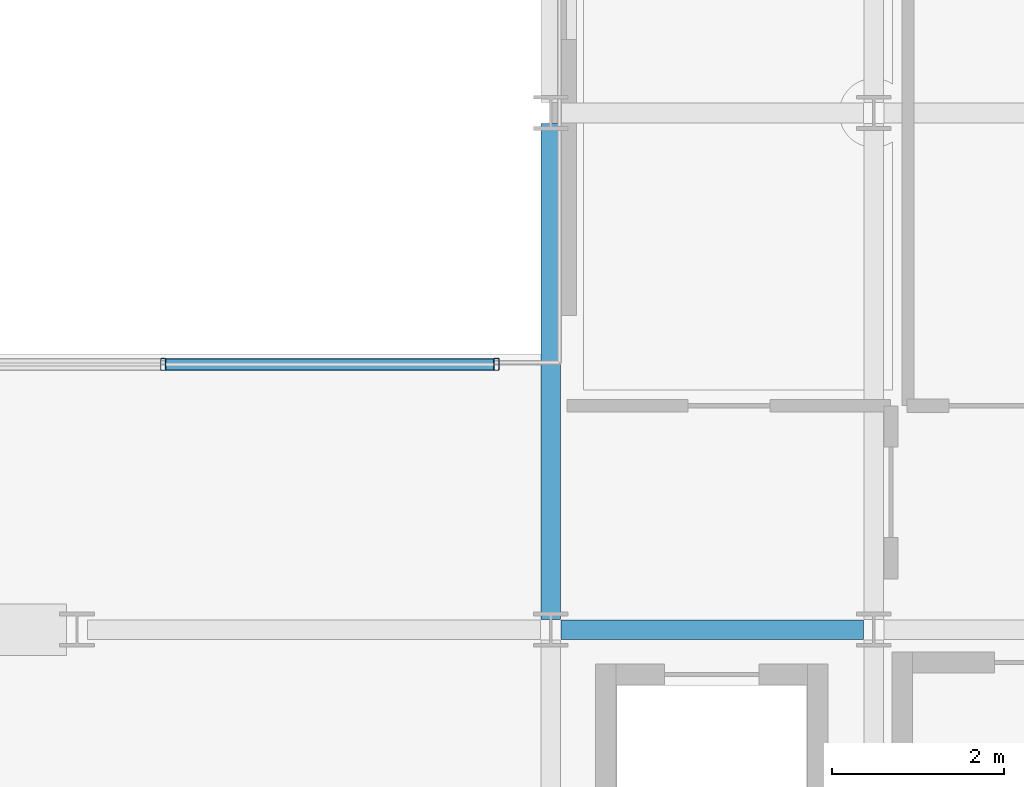
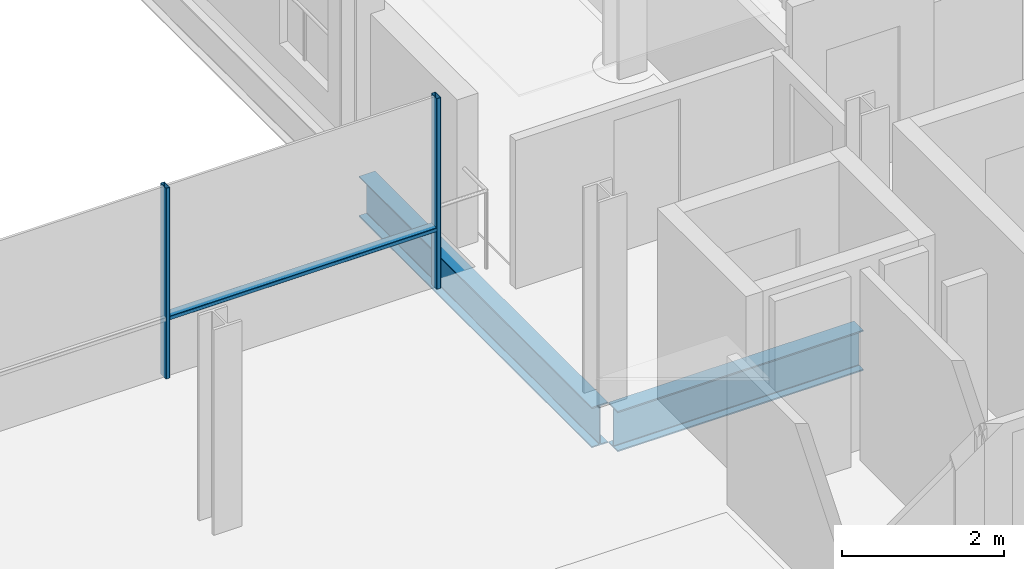
# One storey, part 15 of 41: 3 members, 2 beams, 1 element without a shape of its own.
"""IFC4 building model written with IfcOpenShell, lengths in metres."""

import ifcopenshell
import ifcopenshell.guid

model = None  # the IFC model being written
_history = None  # IfcOwnerHistory: only IFC2X3 demands one
_inside = {}  # id of a spatial element -> (the spatial element, [elements in it])
_under = {}  # id of a project, library or spatial element -> (it, [spatial elements below it])
_declared = {}  # id of a project -> (the project, [libraries it declares])
_typed = {}  # id of a type object -> (the type object, [elements of that type])
_made_of = {}  # id of a material, layer set ... -> (it, [elements and type objects made of it])


def new_model(schema):
    """Start an empty IFC model of exactly this schema.

    Asked for "IFC4X3", IfcOpenShell would pick the latest addendum, in which some entities
    have other attributes; the version numbers below select the first issue.
    IFC2X3 requires an IfcOwnerHistory on every rooted entity: one is made here for all.
    """
    global model, _history
    if schema == "IFC4X3":
        model = ifcopenshell.file(schema_version=(4, 3, 0, 0))
    else:
        model = ifcopenshell.file(schema=schema)
    _inside.clear()
    _under.clear()
    _declared.clear()
    _typed.clear()
    _made_of.clear()
    _history = None
    if model.schema == "IFC2X3":
        org = make("IfcOrganization", Name="unknown")
        user = make(
            "IfcPersonAndOrganization",
            ThePerson=make("IfcPerson", FamilyName="unknown"),
            TheOrganization=org,
        )
        app = make(
            "IfcApplication",
            ApplicationDeveloper=org,
            Version="unknown",
            ApplicationFullName="unknown",
            ApplicationIdentifier="unknown",
        )
        _history = make(
            "IfcOwnerHistory",
            OwningUser=user,
            OwningApplication=app,
            ChangeAction="ADDED",
            CreationDate=0,
        )
    return model


def make(cls, **values):
    """One entity of the class cls with the attributes given. An attribute that is None is left unset."""
    return model.create_entity(
        cls, **{name: value for name, value in values.items() if value is not None}
    )


def rooted(cls, **values):
    """An entity with a GlobalId (a new one), such as an element, a storey or a relation."""
    return make(cls, GlobalId=ifcopenshell.guid.new(), OwnerHistory=_history, **values)


def si_unit(unit_type, name, prefix=None):
    """IfcSIUnit, for example si_unit("LENGTHUNIT", "METRE", prefix="MILLI")."""
    return make("IfcSIUnit", UnitType=unit_type, Prefix=prefix, Name=name)


def assignment(units):
    """IfcUnitAssignment: the units of a project."""
    return None if units is None else make("IfcUnitAssignment", Units=units)


def point(xyz):
    """IfcCartesianPoint."""
    return None if xyz is None else make("IfcCartesianPoint", Coordinates=xyz)


def direction(xyz):
    """IfcDirection."""
    return None if xyz is None else make("IfcDirection", DirectionRatios=xyz)


def frame(location, z_axis=None, x_axis=None):
    """IfcAxis2Placement3D, a coordinate frame: its origin and axes. An axis left out is left unset."""
    return make(
        "IfcAxis2Placement3D",
        Location=point(location),
        Axis=direction(z_axis),
        RefDirection=direction(x_axis),
    )


def frame_2d(location, x_axis=None):
    """IfcAxis2Placement2D, a coordinate frame in the plane: its origin and x axis."""
    return make(
        "IfcAxis2Placement2D", Location=point(location), RefDirection=direction(x_axis)
    )


def origin():
    """The frame at (0, 0, 0) with its axes left unset."""
    return frame((0.0, 0.0, 0.0))


def origin_2d():
    """The frame at (0, 0) in the plane with its x axis left unset."""
    return frame_2d((0.0, 0.0))


def place(relative_to, where):
    """IfcLocalPlacement: puts the frame where relative to a parent placement (None: the world)."""
    return make(
        "IfcLocalPlacement", PlacementRelTo=relative_to, RelativePlacement=where
    )


def context(
    kind, dimensions, precision=None, world=None, true_north=None, identifier=None
):
    """IfcGeometricRepresentationContext, for example the 3D "Model" context."""
    return make(
        "IfcGeometricRepresentationContext",
        ContextIdentifier=identifier,
        ContextType=kind,
        CoordinateSpaceDimension=dimensions,
        Precision=precision,
        WorldCoordinateSystem=world,
        TrueNorth=true_north,
    )


def subcontext(parent, identifier, kind, view, scale=None):
    """IfcGeometricRepresentationSubContext, for example "Body" below "Model"."""
    return make(
        "IfcGeometricRepresentationSubContext",
        ContextIdentifier=identifier,
        ContextType=kind,
        ParentContext=parent,
        TargetScale=scale,
        TargetView=view,
    )


def project(units=None, contexts=None):
    """IfcProject with its units and contexts."""
    return rooted(
        "IfcProject",
        Name="project",
        RepresentationContexts=contexts,
        UnitsInContext=assignment(units),
    )


def spatial(cls, under=None, at=None, **own):
    """A site, building, storey or space (cls), placed at a placement, below another one or the project."""
    s = rooted(cls, ObjectPlacement=at, **own)
    if under is not None:
        _under.setdefault(under.id(), (under, []))[1].append(s)
    return s


def profile(cls, at=None, kind="AREA", **sizes):
    """A parametric profile (cls). Its sizes go by their IFC names, for example OverallWidth=200.0."""
    return make(cls, ProfileType=kind, Position=at, **sizes)


def hollow_rectangle(**sizes):
    """IfcRectangleHollowProfileDef."""
    return profile("IfcRectangleHollowProfileDef", **sizes)


def i_section(**sizes):
    """IfcIShapeProfileDef."""
    return profile("IfcIShapeProfileDef", **sizes)


def extrude(swept, where, along, depth):
    """IfcExtrudedAreaSolid: the profile swept, set in the frame where, extruded along a direction by depth."""
    return make(
        "IfcExtrudedAreaSolid",
        SweptArea=swept,
        Position=where,
        ExtrudedDirection=direction(along),
        Depth=depth,
    )


def shape(context_of_items, identifier, shape_type, items):
    """IfcShapeRepresentation: the items that make up one representation, for example the "Body"."""
    return make(
        "IfcShapeRepresentation",
        ContextOfItems=context_of_items,
        RepresentationIdentifier=identifier,
        RepresentationType=shape_type,
        Items=items,
    )


def material(Name=None, Category=None):
    """IfcMaterial."""
    return make("IfcMaterial", Name=Name, Category=Category)


def layer(
    of_material, thickness, ventilated=None, Name=None, Category=None, Priority=None
):
    """IfcMaterialLayer: one layer of a wall or slab, of a material (None: an air gap)."""
    return make(
        "IfcMaterialLayer",
        Material=of_material,
        LayerThickness=thickness,
        IsVentilated=ventilated,
        Name=Name,
        Category=Category,
        Priority=Priority,
    )


def layer_set(layers, Name=None):
    """IfcMaterialLayerSet."""
    return make("IfcMaterialLayerSet", MaterialLayers=layers, LayerSetName=Name)


def material_profile(
    of_material, cross_section, Name=None, Category=None, Priority=None
):
    """IfcMaterialProfile: a cross section and its material."""
    return make(
        "IfcMaterialProfile",
        Name=Name,
        Material=of_material,
        Profile=cross_section,
        Priority=Priority,
        Category=Category,
    )


def profile_set(profiles, Name=None, composite=None):
    """IfcMaterialProfileSet."""
    return make(
        "IfcMaterialProfileSet",
        Name=Name,
        MaterialProfiles=profiles,
        CompositeProfile=composite,
    )


def made_of(thing, what):
    """Note that an element or type object is made of a material, layer set ...; save() writes the relation."""
    if what is not None:
        _made_of.setdefault(what.id(), (what, []))[1].append(thing)
    return thing


def type_object(cls, material=None, **own):
    """A type object (cls), such as IfcWallType, which elements share."""
    return made_of(rooted(cls, **own), material)


def element(
    cls,
    number,
    at=None,
    inside=None,
    cuts=None,
    type_object=None,
    material=None,
    context=None,
    identifier="Body",
    shape_type=None,
    held_by="IfcProductDefinitionShape",
    body=None,
    shapes=None,
    **own,
):
    """One element of the class cls, such as IfcWall. Its Tag is "e" and its number.

    at: its placement. inside: the storey or other place that contains it. cuts: it is an
    opening in that element (IfcRelVoidsElement). A single representation is given by context,
    identifier, shape_type and body (its items); several are given by shapes. held_by: the class
    of the entity that holds the representations. save() writes the other relations.
    """
    e = rooted(cls, Tag="e%d" % number, ObjectPlacement=at, **own)
    if body is not None:
        shapes = [shape(context, identifier, shape_type, body)]
    if shapes is not None:
        e.Representation = make(held_by, Representations=shapes)
    if inside is not None:
        _inside.setdefault(inside.id(), (inside, []))[1].append(e)
    if cuts is not None:
        rooted(
            "IfcRelVoidsElement", RelatingBuildingElement=cuts, RelatedOpeningElement=e
        )
    if type_object is not None:
        _typed.setdefault(type_object.id(), (type_object, []))[1].append(e)
    return made_of(e, material)


def aggregate(whole, parts):
    """IfcRelAggregates: a whole, such as a stair, and the parts it consists of."""
    return rooted("IfcRelAggregates", RelatingObject=whole, RelatedObjects=parts)


def save(model, path):
    """Write the relations noted so far, then the file.

    IfcRelAggregates (storeys below a building ...), IfcRelContainedInSpatialStructure (elements
    in a storey), IfcRelDefinesByType, IfcRelAssociatesMaterial and IfcRelDeclares: one each for
    every whole, place, type object, material and project.
    """
    for whole, parts in _under.values():
        aggregate(whole, parts)
    for where, things in _inside.values():
        rooted(
            "IfcRelContainedInSpatialStructure",
            RelatedElements=things,
            RelatingStructure=where,
        )
    for kind, things in _typed.values():
        rooted("IfcRelDefinesByType", RelatedObjects=things, RelatingType=kind)
    for what, things in _made_of.values():
        rooted("IfcRelAssociatesMaterial", RelatedObjects=things, RelatingMaterial=what)
    for by, libraries in _declared.values():
        rooted("IfcRelDeclares", RelatingContext=by, RelatedDefinitions=libraries)
    model.write(path)


model = new_model("IFC4")

# Units and contexts
model_context = context("Model", 3, precision=1e-05, world=origin(), true_north=direction((0.0, 1.0)))
body_context = subcontext(model_context, "Body", "Model", "MODEL_VIEW")
ifc_project = project(units=[si_unit("LENGTHUNIT", "METRE"), si_unit("AREAUNIT", "SQUARE_METRE"), si_unit("VOLUMEUNIT", "CUBIC_METRE"), si_unit("PLANEANGLEUNIT", "RADIAN"), si_unit("MASSUNIT", "GRAM", prefix="KILO")], contexts=[model_context])

# Site, building, storey
site_placement = place(None, origin())
site = spatial("IfcSite", under=ifc_project, at=site_placement, CompositionType="ELEMENT")
building_placement = place(site_placement, origin())
building = spatial("IfcBuilding", under=site, at=building_placement, Name="Brevholm Reach", CompositionType="ELEMENT")
storey_placement = place(building_placement, frame((0.0, 0.0, 157.300048828125)))
storey = spatial("IfcBuildingStorey", under=building, at=storey_placement, Name="L47", CompositionType="ELEMENT", Elevation=157.300048828125)

# Beams
ifc_material_1 = material(Name="Structural Steel S355J2", Category="steel")
ifc_material_profile_1 = material_profile(ifc_material_1, i_section(OverallWidth=0.22900390625, OverallDepth=0.6123046875, WebThickness=0.011962890625, FlangeThickness=0.01953125, FilletRadius=0.0126953125, at=origin_2d()), Name="UKB 610x229x125")
ifc_profile_set_1 = profile_set([ifc_material_profile_1], Name="Structural Steel S355J2")
beam_type = type_object("IfcBeamType", Name="BM-SP610", PredefinedType="SPANDREL", material=ifc_profile_set_1)
beam_1_placement = place(storey_placement, frame((38.3701171875, 10.0, -0.526123046875), z_axis=(1.0, 0.0, 0.0), x_axis=(0.0, 1.0, 0.0)))
element("IfcBeam", 1, at=beam_1_placement, inside=storey, type_object=beam_type, Name="L47 SP-01 Framing Beam", PredefinedType="SPANDREL", context=body_context, shape_type="SweptSolid", body=[
    extrude(i_section(OverallWidth=0.22900390625, OverallDepth=0.6123046875, WebThickness=0.011962890625, FlangeThickness=0.01953125, FilletRadius=0.0126953125, at=origin_2d()), origin(), (0.0, 0.0, 1.0), 3.509765625),
])
beam_2_placement = place(storey_placement, frame((38.25, 10.1201171875, -0.526123046875), z_axis=(0.0, 1.0, 0.0), x_axis=(-1.0, 0.0, 0.0)))
element("IfcBeam", 2, at=beam_2_placement, inside=storey, type_object=beam_type, Name="L47 SP-01 Framing Beam", PredefinedType="SPANDREL", context=body_context, shape_type="SweptSolid", body=[
    extrude(i_section(OverallWidth=0.22900390625, OverallDepth=0.6123046875, WebThickness=0.011962890625, FlangeThickness=0.01953125, FilletRadius=0.0126953125, at=origin_2d()), origin(), (0.0, 0.0, 1.0), 5.759765625),
])

# Curtain wall, members
ifc_material_2 = material(Name="Dark Anodised Aluminium 6063-T6 and Solar-Control Glass", Category="aluminium")
ifc_layer = layer(ifc_material_2, 0.139892578125)
ifc_layer_set = layer_set([ifc_layer], Name="Dark Anodised Aluminium 6063-T6 and Solar-Control Glass")
curtain_wall_type = type_object("IfcCurtainWallType", Name="CW-02", PredefinedType="NOTDEFINED", material=ifc_layer_set)
curtain_wall_placement = place(storey_placement, origin())
curtain_wall = element("IfcCurtainWall", 3, at=curtain_wall_placement, inside=storey, type_object=curtain_wall_type, Name="L47 Curtain Wall CW-02", PredefinedType="NOTDEFINED")
ifc_material_3 = material(Name="Dark Anodised Aluminium 6063-T6", Category="aluminium")
ifc_material_profile_2 = material_profile(ifc_material_3, hollow_rectangle(XDim=0.06005859375, YDim=0.139892578125, WallThickness=0.0048828125, InnerFilletRadius=0.0048828125, OuterFilletRadius=0.010009765625, at=origin_2d()), Name="RHS 140x60x5")
ifc_profile_set_2 = profile_set([ifc_material_profile_2], Name="Dark Anodised Aluminium 6063-T6")
member_type_1 = type_object("IfcMemberType", Name="CWM-140", PredefinedType="MULLION", material=ifc_profile_set_2)
member_1_placement = place(storey_placement, frame((33.75, 13.080078125, 0.0), z_axis=(0.0, 0.0, 1.0), x_axis=(1.0, 0.0, 0.0)))
member_1 = element("IfcMember", 4, at=member_1_placement, type_object=member_type_1, Name="CM-140 Mullion 4", PredefinedType="MULLION", context=body_context, shape_type="SweptSolid", body=[
    extrude(hollow_rectangle(XDim=0.06005859375, YDim=0.139892578125, WallThickness=0.0048828125, InnerFilletRadius=0.0048828125, OuterFilletRadius=0.010009765625, at=origin_2d()), origin(), (0.0, 0.0, 1.0), 2.8798828125),
])
member_2_placement = place(storey_placement, frame((37.6201171875, 13.080078125, 0.0), z_axis=(0.0, 0.0, 1.0), x_axis=(1.0, 0.0, 0.0)))
member_2 = element("IfcMember", 5, at=member_2_placement, type_object=member_type_1, Name="CM-140 Mullion 5", PredefinedType="MULLION", context=body_context, shape_type="SweptSolid", body=[
    extrude(hollow_rectangle(XDim=0.06005859375, YDim=0.139892578125, WallThickness=0.0048828125, InnerFilletRadius=0.0048828125, OuterFilletRadius=0.010009765625, at=origin_2d()), origin(), (0.0, 0.0, 1.0), 2.8798828125),
])
ifc_material_4 = material(Name="Dark Anodised Aluminium 6063-T6", Category="aluminium")
ifc_material_profile_3 = material_profile(ifc_material_4, hollow_rectangle(XDim=0.06005859375, YDim=0.139892578125, WallThickness=0.0048828125, InnerFilletRadius=0.0048828125, OuterFilletRadius=0.010009765625, at=origin_2d()), Name="RHS 140x60x5")
ifc_profile_set_3 = profile_set([ifc_material_profile_3], Name="Dark Anodised Aluminium 6063-T6")
member_type_2 = type_object("IfcMemberType", Name="CWT-140", PredefinedType="NOTDEFINED", material=ifc_profile_set_3)
member_3_placement = place(storey_placement, frame((33.780029296875, 13.080078125, 0.89990234375), z_axis=(1.0, 0.0, 0.0), x_axis=(0.0, 0.0, 1.0)))
member_3 = element("IfcMember", 6, at=member_3_placement, type_object=member_type_2, Name="CT-140 Transom 4.1", ObjectType="TRANSOM", PredefinedType="USERDEFINED", context=body_context, shape_type="SweptSolid", body=[
    extrude(hollow_rectangle(XDim=0.06005859375, YDim=0.139892578125, WallThickness=0.0048828125, InnerFilletRadius=0.0048828125, OuterFilletRadius=0.010009765625, at=origin_2d()), origin(), (0.0, 0.0, 1.0), 3.81005859375),
])
aggregate(curtain_wall, [member_1, member_2, member_3])

save(model, "model.ifc")
